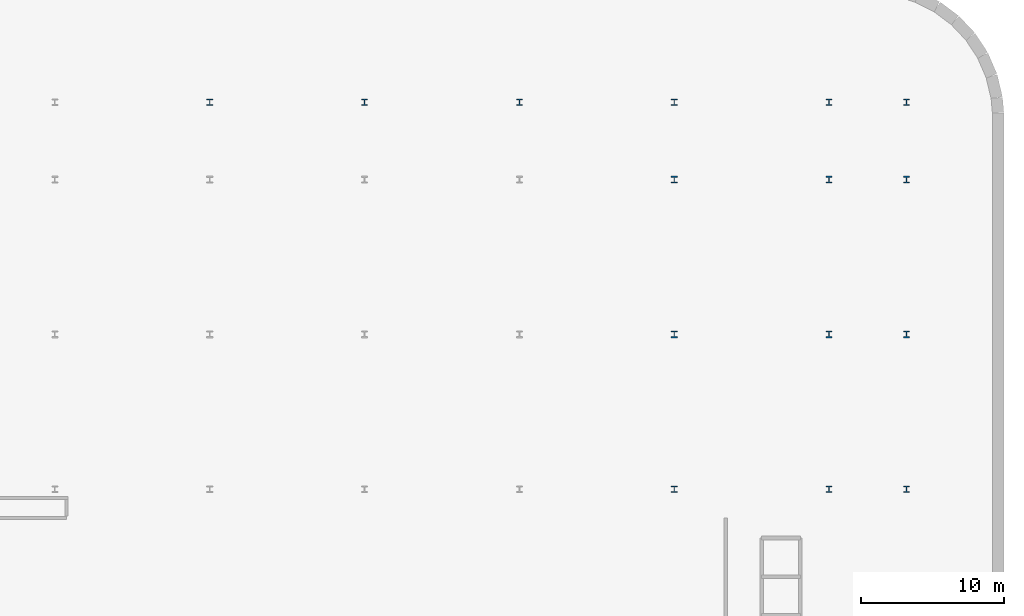
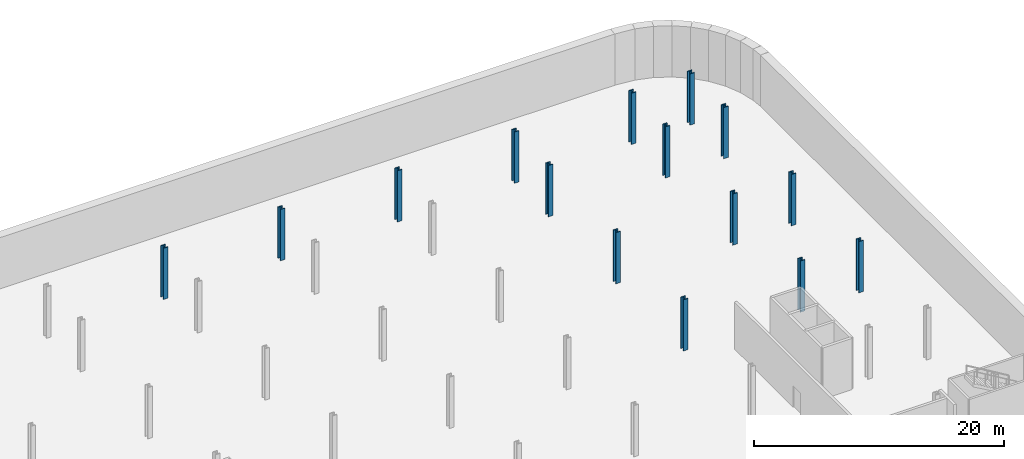
# One storey, part 4 of 19: 15 columns.
"""IFC4 building model written with IfcOpenShell, lengths in metres."""

from ifc_helpers import new_model, si_unit, direction, frame, origin, origin_2d, place, context, subcontext, project, spatial, i_section, extrude, material, material_profile, profile_set, type_object, element, save


model = new_model("IFC4")

# Units and contexts
model_context = context("Model", 3, precision=1e-05, world=origin(), true_north=direction((0.0, 1.0)))
body_context = subcontext(model_context, "Body", "Model", "MODEL_VIEW")
ifc_project = project(units=[si_unit("LENGTHUNIT", "METRE"), si_unit("AREAUNIT", "SQUARE_METRE"), si_unit("VOLUMEUNIT", "CUBIC_METRE"), si_unit("PLANEANGLEUNIT", "RADIAN"), si_unit("MASSUNIT", "GRAM", prefix="KILO")], contexts=[model_context])

# Site, building, storey
site_placement = place(None, origin())
site = spatial("IfcSite", under=ifc_project, at=site_placement, CompositionType="ELEMENT")
building_placement = place(site_placement, origin())
building = spatial("IfcBuilding", under=site, at=building_placement, Name="Kheshtan School and Residences Tower", CompositionType="ELEMENT")
storey_placement = place(building_placement, frame((0.0, 0.0, -5.0)))
storey = spatial("IfcBuildingStorey", under=building, at=storey_placement, Name="B1", CompositionType="ELEMENT", Elevation=-5.0)

# Columns
ifc_material = material(Name="Steel ASTM A992 Grade 50", Category="steel")
ifc_material_profile = material_profile(ifc_material, i_section(OverallWidth=0.424072265625, OverallDepth=0.47412109375, WebThickness=0.047607421875, FlangeThickness=0.0771484375, FilletRadius=0.01416015625, at=origin_2d()), Name="W360x634")
ifc_profile_set = profile_set([ifc_material_profile], Name="Steel ASTM A992 Grade 50")
column_type = type_object("IfcColumnType", Name="Column PC1 W360x634 ASTM A992 Grade 50", PredefinedType="COLUMN", material=ifc_profile_set)
for number, where, z_axis, x_axis, name in (
    (1, (112.39990234375, 78.0, 0.0), (0.0, 0.0, 1.0), (1.0, 0.0, 0.0), "Column P-082"),
    (2, (123.199951171875, 78.0, 0.0), (0.0, 0.0, 1.0), (1.0, 0.0, 0.0), "Column P-083"),
    (3, (128.60009765625, 78.0, 0.0), (0.0, 0.0, 1.0), (1.0, 0.0, 0.0), "Column P-084"),
    (4, (112.39990234375, 88.800048828125, 0.0), (0.0, 0.0, 1.0), (1.0, 0.0, 0.0), "Column P-094"),
    (5, (123.199951171875, 88.800048828125, 0.0), (0.0, 0.0, 1.0), (1.0, 0.0, 0.0), "Column P-095"),
    (6, (128.60009765625, 88.800048828125, 0.0), (0.0, 0.0, 1.0), (1.0, 0.0, 0.0), "Column P-096"),
    (7, (112.39990234375, 99.60009765625, 0.0), (0.0, 0.0, 1.0), (1.0, 0.0, 0.0), "Column P-106"),
    (8, (123.199951171875, 99.60009765625, 0.0), (0.0, 0.0, 1.0), (1.0, 0.0, 0.0), "Column P-107"),
    (9, (128.60009765625, 99.60009765625, 0.0), (0.0, 0.0, 1.0), (1.0, 0.0, 0.0), "Column P-108"),
    (10, (80.0, 105.0, 0.0), (0.0, 0.0, 1.0), (1.0, 0.0, 0.0), "Column P-115"),
    (11, (90.800048828125, 105.0, 0.0), (0.0, 0.0, 1.0), (1.0, 0.0, 0.0), "Column P-116"),
    (12, (101.60009765625, 105.0, 0.0), (0.0, 0.0, 1.0), (1.0, 0.0, 0.0), "Column P-117"),
    (13, (112.39990234375, 105.0, 0.0), (0.0, 0.0, 1.0), (1.0, 0.0, 0.0), "Column P-118"),
    (14, (123.199951171875, 105.0, 0.0), (0.0, 0.0, 1.0), (1.0, 0.0, 0.0), "Column P-119"),
    (15, (128.60009765625, 105.0, 0.0), (0.0, 0.0, 1.0), (1.0, 0.0, 0.0), "Column P-120"),
):
    element("IfcColumn", number, at=place(storey_placement, frame(where, z_axis=z_axis, x_axis=x_axis)), inside=storey, type_object=column_type, Name=name, PredefinedType="COLUMN", context=body_context, shape_type="SweptSolid", body=[
        extrude(i_section(OverallWidth=0.424072265625, OverallDepth=0.47412109375, WebThickness=0.047607421875, FlangeThickness=0.0771484375, FilletRadius=0.01416015625, at=origin_2d()), origin(), (0.0, 0.0, 1.0), 5.0),
    ])

save(model, "model.ifc")
